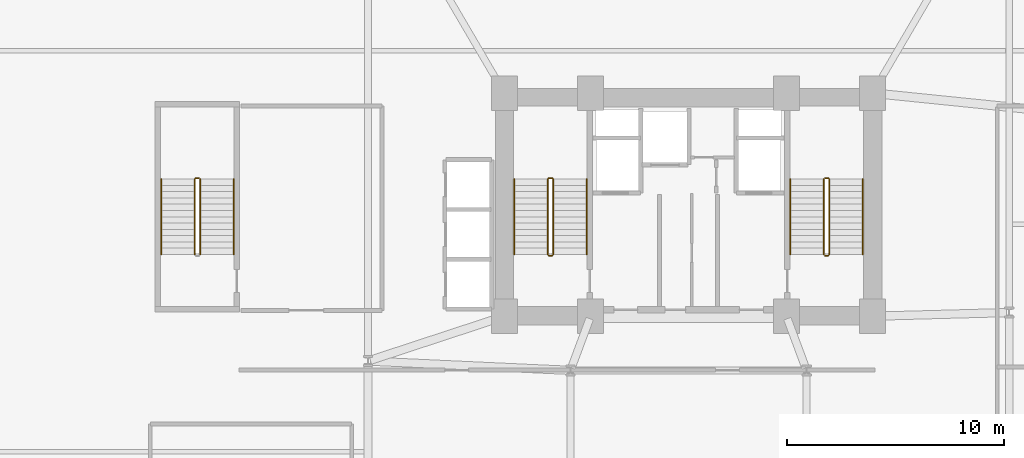
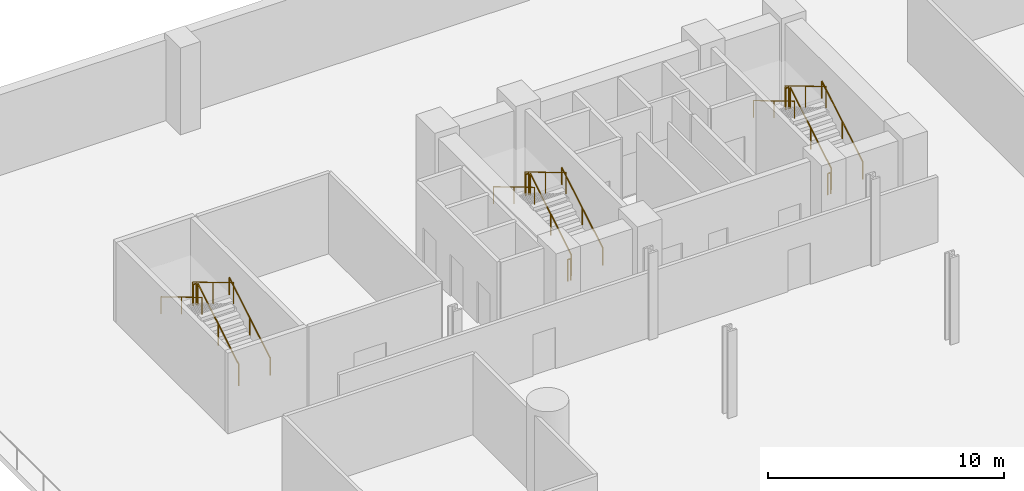
# One storey, part 7 of 8: 17 railings.
"""IFC4 building model written with IfcOpenShell, lengths in metres."""

from ifc_helpers import new_model, si_unit, direction, frame, origin, origin_2d, place, context, subcontext, project, spatial, circle, extrude, material, type_object, element, save


model = new_model("IFC4")

# Units and contexts
model_context = context("Model", 3, precision=1e-05, world=origin(), true_north=direction((0.0, 1.0)))
body_context = subcontext(model_context, "Body", "Model", "MODEL_VIEW")
ifc_project = project(units=[si_unit("LENGTHUNIT", "METRE"), si_unit("AREAUNIT", "SQUARE_METRE"), si_unit("VOLUMEUNIT", "CUBIC_METRE"), si_unit("PLANEANGLEUNIT", "RADIAN"), si_unit("MASSUNIT", "GRAM", prefix="KILO")], contexts=[model_context])

# Site, building, storey
site_placement = place(None, origin())
site = spatial("IfcSite", under=ifc_project, at=site_placement, CompositionType="ELEMENT")
building_placement = place(site_placement, origin())
building = spatial("IfcBuilding", under=site, at=building_placement, Name="Varnelok Gate Tower", CompositionType="ELEMENT")
storey_placement = place(building_placement, frame((0.0, 0.0, -4.5)))
storey = spatial("IfcBuildingStorey", under=building, at=storey_placement, Name="B01", CompositionType="ELEMENT", Elevation=-4.5)

# Railings
ifc_material_1 = material(Name="Brushed Stainless Steel AISI 316", Category="steel")
railing_type_1 = type_object("IfcRailingType", Name="RL-HANDRAIL-900", PredefinedType="HANDRAIL", material=ifc_material_1)
railing_1_placement = place(storey_placement, frame((34.5, 31.60009765625, 0.173095703125)))
element("IfcRailing", 1, at=railing_1_placement, inside=storey, type_object=railing_type_1, Name="B01 ST-1 stair handrail 1", PredefinedType="HANDRAIL", context=body_context, shape_type="SweptSolid", body=[
    extrude(circle(Radius=0.02392578125, at=origin_2d()), frame((0.0, 0.0, 0.8759765625), z_axis=(0.0, 0.858697190188, 0.512483302717), x_axis=(-1.0, 0.0, 0.0)), (0.0, 0.0, 1.0), 4.052734375),
    extrude(circle(Radius=0.02099609375, at=origin_2d()), origin(), (0.0, 0.0, 1.0), 0.851806640625),
    extrude(circle(Radius=0.02099609375, at=origin_2d()), frame((0.0, 1.739990234375, 1.03857421875)), (0.0, 0.0, 1.0), 0.851806640625),
    extrude(circle(Radius=0.02099609375, at=origin_2d()), frame((0.0, 3.47998046875, 2.076904296875)), (0.0, 0.0, 1.0), 0.851806640625),
])
railing_2_placement = place(storey_placement, frame((31.14990234375, 35.080078125, 2.423095703125)))
element("IfcRailing", 2, at=railing_2_placement, inside=storey, type_object=railing_type_1, Name="B01 ST-1 stair handrail 2", PredefinedType="HANDRAIL", context=body_context, shape_type="SweptSolid", body=[
    extrude(circle(Radius=0.02392578125, at=origin_2d()), frame((0.0, 0.0, 0.8759765625), z_axis=(0.0, -0.858697190188, 0.512483302717), x_axis=(1.0, 0.0, 0.0)), (0.0, 0.0, 1.0), 4.052734375),
    extrude(circle(Radius=0.02099609375, at=origin_2d()), origin(), (0.0, 0.0, 1.0), 0.851806640625),
    extrude(circle(Radius=0.02099609375, at=origin_2d()), frame((0.0, -1.739990234375, 1.03857421875)), (0.0, 0.0, 1.0), 0.851806640625),
    extrude(circle(Radius=0.02099609375, at=origin_2d()), frame((0.0, -3.47998046875, 2.076904296875)), (0.0, 0.0, 1.0), 0.851806640625),
])
railing_3_placement = place(storey_placement, frame((47.25, 31.60009765625, 0.173095703125)))
element("IfcRailing", 3, at=railing_3_placement, inside=storey, type_object=railing_type_1, Name="B01 ST-2 stair handrail 1", PredefinedType="HANDRAIL", context=body_context, shape_type="SweptSolid", body=[
    extrude(circle(Radius=0.02392578125, at=origin_2d()), frame((0.0, 0.0, 0.8759765625), z_axis=(0.0, 0.858697190188, 0.512483302717), x_axis=(-1.0, 0.0, 0.0)), (0.0, 0.0, 1.0), 4.052734375),
    extrude(circle(Radius=0.02099609375, at=origin_2d()), origin(), (0.0, 0.0, 1.0), 0.851806640625),
    extrude(circle(Radius=0.02099609375, at=origin_2d()), frame((0.0, 1.739990234375, 1.03857421875)), (0.0, 0.0, 1.0), 0.851806640625),
    extrude(circle(Radius=0.02099609375, at=origin_2d()), frame((0.0, 3.47998046875, 2.076904296875)), (0.0, 0.0, 1.0), 0.851806640625),
])
railing_4_placement = place(storey_placement, frame((43.89990234375, 35.080078125, 2.423095703125)))
element("IfcRailing", 4, at=railing_4_placement, inside=storey, type_object=railing_type_1, Name="B01 ST-2 stair handrail 2", PredefinedType="HANDRAIL", context=body_context, shape_type="SweptSolid", body=[
    extrude(circle(Radius=0.02392578125, at=origin_2d()), frame((0.0, 0.0, 0.8759765625), z_axis=(0.0, -0.858697190188, 0.512483302717), x_axis=(1.0, 0.0, 0.0)), (0.0, 0.0, 1.0), 4.052734375),
    extrude(circle(Radius=0.02099609375, at=origin_2d()), origin(), (0.0, 0.0, 1.0), 0.851806640625),
    extrude(circle(Radius=0.02099609375, at=origin_2d()), frame((0.0, -1.739990234375, 1.03857421875)), (0.0, 0.0, 1.0), 0.851806640625),
    extrude(circle(Radius=0.02099609375, at=origin_2d()), frame((0.0, -3.47998046875, 2.076904296875)), (0.0, 0.0, 1.0), 0.851806640625),
])
railing_5_placement = place(storey_placement, frame((18.199951171875, 31.60009765625, 0.173095703125)))
element("IfcRailing", 5, at=railing_5_placement, inside=storey, type_object=railing_type_1, Name="B01 ST-3 stair handrail 1", PredefinedType="HANDRAIL", context=body_context, shape_type="SweptSolid", body=[
    extrude(circle(Radius=0.02392578125, at=origin_2d()), frame((0.0, 0.0, 0.8759765625), z_axis=(0.0, 0.858697190188, 0.512483302717), x_axis=(-1.0, 0.0, 0.0)), (0.0, 0.0, 1.0), 4.052734375),
    extrude(circle(Radius=0.02099609375, at=origin_2d()), origin(), (0.0, 0.0, 1.0), 0.851806640625),
    extrude(circle(Radius=0.02099609375, at=origin_2d()), frame((0.0, 1.739990234375, 1.03857421875)), (0.0, 0.0, 1.0), 0.851806640625),
    extrude(circle(Radius=0.02099609375, at=origin_2d()), frame((0.0, 3.47998046875, 2.076904296875)), (0.0, 0.0, 1.0), 0.851806640625),
])
railing_6_placement = place(storey_placement, frame((14.85009765625, 35.080078125, 2.423095703125)))
element("IfcRailing", 6, at=railing_6_placement, inside=storey, type_object=railing_type_1, Name="B01 ST-3 stair handrail 2", PredefinedType="HANDRAIL", context=body_context, shape_type="SweptSolid", body=[
    extrude(circle(Radius=0.02392578125, at=origin_2d()), frame((0.0, 0.0, 0.8759765625), z_axis=(0.0, -0.858697190188, 0.512483302717), x_axis=(1.0, 0.0, 0.0)), (0.0, 0.0, 1.0), 4.052734375),
    extrude(circle(Radius=0.02099609375, at=origin_2d()), origin(), (0.0, 0.0, 1.0), 0.851806640625),
    extrude(circle(Radius=0.02099609375, at=origin_2d()), frame((0.0, -1.739990234375, 1.03857421875)), (0.0, 0.0, 1.0), 0.851806640625),
    extrude(circle(Radius=0.02099609375, at=origin_2d()), frame((0.0, -3.47998046875, 2.076904296875)), (0.0, 0.0, 1.0), 0.851806640625),
])
ifc_material_2 = material(Name="Galvanized Steel Grade S350GD", Category="steel")
railing_type_2 = type_object("IfcRailingType", Name="RL-STAIR-GUARD1120", PredefinedType="GUARDRAIL", material=ifc_material_2)
railing_7_placement = place(storey_placement, frame((32.949951171875, 31.60009765625, 0.173095703125)))
element("IfcRailing", 7, at=railing_7_placement, inside=storey, type_object=railing_type_2, Name="B01 ST-1 stair guard 1", PredefinedType="GUARDRAIL", context=body_context, shape_type="SweptSolid", body=[
    extrude(circle(Radius=0.02392578125, at=origin_2d()), frame((0.0, 0.0, 1.09619140625), z_axis=(0.0, 0.858697190188, 0.512483302717), x_axis=(-1.0, 0.0, 0.0)), (0.0, 0.0, 1.0), 4.052734375),
    extrude(circle(Radius=0.02099609375, at=origin_2d()), origin(), (0.0, 0.0, 1.0), 1.072021484375),
    extrude(circle(Radius=0.02099609375, at=origin_2d()), frame((0.0, 1.739990234375, 1.03857421875)), (0.0, 0.0, 1.0), 1.072021484375),
    extrude(circle(Radius=0.02099609375, at=origin_2d()), frame((0.0, 3.47998046875, 2.076904296875)), (0.0, 0.0, 1.0), 1.072021484375),
])
railing_8_placement = place(storey_placement, frame((32.89990234375, 35.1298828125, 2.25)))
element("IfcRailing", 8, at=railing_8_placement, inside=storey, type_object=railing_type_2, Name="B01 ST-1 stair guard 2", PredefinedType="GUARDRAIL", context=body_context, shape_type="SweptSolid", body=[
    extrude(circle(Radius=0.02392578125, at=origin_2d()), frame((0.0, 0.0, 1.09619140625), z_axis=(-1.0, 0.0, 0.0), x_axis=(0.0, -1.0, 0.0)), (0.0, 0.0, 1.0), 0.14990234375),
    extrude(circle(Radius=0.02099609375, at=origin_2d()), origin(), (0.0, 0.0, 1.0), 1.072021484375),
    extrude(circle(Radius=0.02099609375, at=origin_2d()), frame((-0.14990234375, 0.0, 0.0)), (0.0, 0.0, 1.0), 1.072021484375),
])
railing_9_placement = place(storey_placement, frame((32.699951171875, 35.080078125, 2.423095703125)))
element("IfcRailing", 9, at=railing_9_placement, inside=storey, type_object=railing_type_2, Name="B01 ST-1 stair guard 3", PredefinedType="GUARDRAIL", context=body_context, shape_type="SweptSolid", body=[
    extrude(circle(Radius=0.02392578125, at=origin_2d()), frame((0.0, 0.0, 1.09619140625), z_axis=(0.0, -0.858697190188, 0.512483302717), x_axis=(1.0, 0.0, 0.0)), (0.0, 0.0, 1.0), 4.052734375),
    extrude(circle(Radius=0.02099609375, at=origin_2d()), origin(), (0.0, 0.0, 1.0), 1.072021484375),
    extrude(circle(Radius=0.02099609375, at=origin_2d()), frame((0.0, -1.739990234375, 1.03857421875)), (0.0, 0.0, 1.0), 1.072021484375),
    extrude(circle(Radius=0.02099609375, at=origin_2d()), frame((0.0, -3.47998046875, 2.076904296875)), (0.0, 0.0, 1.0), 1.072021484375),
])
railing_10_placement = place(storey_placement, frame((32.89990234375, 31.550048828125, 0.0)))
element("IfcRailing", 10, at=railing_10_placement, inside=storey, type_object=railing_type_2, Name="B01 ST-1 stair guard 4", PredefinedType="GUARDRAIL", context=body_context, shape_type="SweptSolid", body=[
    extrude(circle(Radius=0.02392578125, at=origin_2d()), frame((0.0, 0.0, 1.09619140625), z_axis=(-1.0, 0.0, 0.0), x_axis=(0.0, -1.0, 0.0)), (0.0, 0.0, 1.0), 0.14990234375),
    extrude(circle(Radius=0.02099609375, at=origin_2d()), origin(), (0.0, 0.0, 1.0), 1.072021484375),
    extrude(circle(Radius=0.02099609375, at=origin_2d()), frame((-0.14990234375, 0.0, 0.0)), (0.0, 0.0, 1.0), 1.072021484375),
])
railing_11_placement = place(storey_placement, frame((45.699951171875, 31.60009765625, 0.173095703125)))
element("IfcRailing", 11, at=railing_11_placement, inside=storey, type_object=railing_type_2, Name="B01 ST-2 stair guard 1", PredefinedType="GUARDRAIL", context=body_context, shape_type="SweptSolid", body=[
    extrude(circle(Radius=0.02392578125, at=origin_2d()), frame((0.0, 0.0, 1.09619140625), z_axis=(0.0, 0.858697190188, 0.512483302717), x_axis=(-1.0, 0.0, 0.0)), (0.0, 0.0, 1.0), 4.052734375),
    extrude(circle(Radius=0.02099609375, at=origin_2d()), origin(), (0.0, 0.0, 1.0), 1.072021484375),
    extrude(circle(Radius=0.02099609375, at=origin_2d()), frame((0.0, 1.739990234375, 1.03857421875)), (0.0, 0.0, 1.0), 1.072021484375),
    extrude(circle(Radius=0.02099609375, at=origin_2d()), frame((0.0, 3.47998046875, 2.076904296875)), (0.0, 0.0, 1.0), 1.072021484375),
])
railing_12_placement = place(storey_placement, frame((45.64990234375, 35.1298828125, 2.25)))
element("IfcRailing", 12, at=railing_12_placement, inside=storey, type_object=railing_type_2, Name="B01 ST-2 stair guard 2", PredefinedType="GUARDRAIL", context=body_context, shape_type="SweptSolid", body=[
    extrude(circle(Radius=0.02392578125, at=origin_2d()), frame((0.0, 0.0, 1.09619140625), z_axis=(-1.0, 0.0, 0.0), x_axis=(0.0, -1.0, 0.0)), (0.0, 0.0, 1.0), 0.14990234375),
    extrude(circle(Radius=0.02099609375, at=origin_2d()), origin(), (0.0, 0.0, 1.0), 1.072021484375),
    extrude(circle(Radius=0.02099609375, at=origin_2d()), frame((-0.14990234375, 0.0, 0.0)), (0.0, 0.0, 1.0), 1.072021484375),
])
railing_13_placement = place(storey_placement, frame((45.449951171875, 35.080078125, 2.423095703125)))
element("IfcRailing", 13, at=railing_13_placement, inside=storey, type_object=railing_type_2, Name="B01 ST-2 stair guard 3", PredefinedType="GUARDRAIL", context=body_context, shape_type="SweptSolid", body=[
    extrude(circle(Radius=0.02392578125, at=origin_2d()), frame((0.0, 0.0, 1.09619140625), z_axis=(0.0, -0.858697190188, 0.512483302717), x_axis=(1.0, 0.0, 0.0)), (0.0, 0.0, 1.0), 4.052734375),
    extrude(circle(Radius=0.02099609375, at=origin_2d()), origin(), (0.0, 0.0, 1.0), 1.072021484375),
    extrude(circle(Radius=0.02099609375, at=origin_2d()), frame((0.0, -1.739990234375, 1.03857421875)), (0.0, 0.0, 1.0), 1.072021484375),
    extrude(circle(Radius=0.02099609375, at=origin_2d()), frame((0.0, -3.47998046875, 2.076904296875)), (0.0, 0.0, 1.0), 1.072021484375),
])
railing_14_placement = place(storey_placement, frame((45.64990234375, 31.550048828125, 0.0)))
element("IfcRailing", 14, at=railing_14_placement, inside=storey, type_object=railing_type_2, Name="B01 ST-2 stair guard 4", PredefinedType="GUARDRAIL", context=body_context, shape_type="SweptSolid", body=[
    extrude(circle(Radius=0.02392578125, at=origin_2d()), frame((0.0, 0.0, 1.09619140625), z_axis=(-1.0, 0.0, 0.0), x_axis=(0.0, -1.0, 0.0)), (0.0, 0.0, 1.0), 0.14990234375),
    extrude(circle(Radius=0.02099609375, at=origin_2d()), origin(), (0.0, 0.0, 1.0), 1.072021484375),
    extrude(circle(Radius=0.02099609375, at=origin_2d()), frame((-0.14990234375, 0.0, 0.0)), (0.0, 0.0, 1.0), 1.072021484375),
])
railing_15_placement = place(storey_placement, frame((16.64990234375, 31.60009765625, 0.173095703125)))
element("IfcRailing", 15, at=railing_15_placement, inside=storey, type_object=railing_type_2, Name="B01 ST-3 stair guard 1", PredefinedType="GUARDRAIL", context=body_context, shape_type="SweptSolid", body=[
    extrude(circle(Radius=0.02392578125, at=origin_2d()), frame((0.0, 0.0, 1.09619140625), z_axis=(0.0, 0.858697190188, 0.512483302717), x_axis=(-1.0, 0.0, 0.0)), (0.0, 0.0, 1.0), 4.052734375),
    extrude(circle(Radius=0.02099609375, at=origin_2d()), origin(), (0.0, 0.0, 1.0), 1.072021484375),
    extrude(circle(Radius=0.02099609375, at=origin_2d()), frame((0.0, 1.739990234375, 1.03857421875)), (0.0, 0.0, 1.0), 1.072021484375),
    extrude(circle(Radius=0.02099609375, at=origin_2d()), frame((0.0, 3.47998046875, 2.076904296875)), (0.0, 0.0, 1.0), 1.072021484375),
])
railing_16_placement = place(storey_placement, frame((16.60009765625, 35.1298828125, 2.25)))
element("IfcRailing", 16, at=railing_16_placement, inside=storey, type_object=railing_type_2, Name="B01 ST-3 stair guard 2", PredefinedType="GUARDRAIL", context=body_context, shape_type="SweptSolid", body=[
    extrude(circle(Radius=0.02392578125, at=origin_2d()), frame((0.0, 0.0, 1.09619140625), z_axis=(-1.0, 0.0, 0.0), x_axis=(0.0, -1.0, 0.0)), (0.0, 0.0, 1.0), 0.150146484375),
    extrude(circle(Radius=0.02099609375, at=origin_2d()), origin(), (0.0, 0.0, 1.0), 1.072021484375),
    extrude(circle(Radius=0.02099609375, at=origin_2d()), frame((-0.150146484375, 0.0, 0.0)), (0.0, 0.0, 1.0), 1.072021484375),
])
railing_17_placement = place(storey_placement, frame((16.39990234375, 35.080078125, 2.423095703125)))
element("IfcRailing", 17, at=railing_17_placement, inside=storey, type_object=railing_type_2, Name="B01 ST-3 stair guard 3", PredefinedType="GUARDRAIL", context=body_context, shape_type="SweptSolid", body=[
    extrude(circle(Radius=0.02392578125, at=origin_2d()), frame((0.0, 0.0, 1.09619140625), z_axis=(0.0, -0.858697190188, 0.512483302717), x_axis=(1.0, 0.0, 0.0)), (0.0, 0.0, 1.0), 4.052734375),
    extrude(circle(Radius=0.02099609375, at=origin_2d()), origin(), (0.0, 0.0, 1.0), 1.072021484375),
    extrude(circle(Radius=0.02099609375, at=origin_2d()), frame((0.0, -1.739990234375, 1.03857421875)), (0.0, 0.0, 1.0), 1.072021484375),
    extrude(circle(Radius=0.02099609375, at=origin_2d()), frame((0.0, -3.47998046875, 2.076904296875)), (0.0, 0.0, 1.0), 1.072021484375),
])

save(model, "model.ifc")
